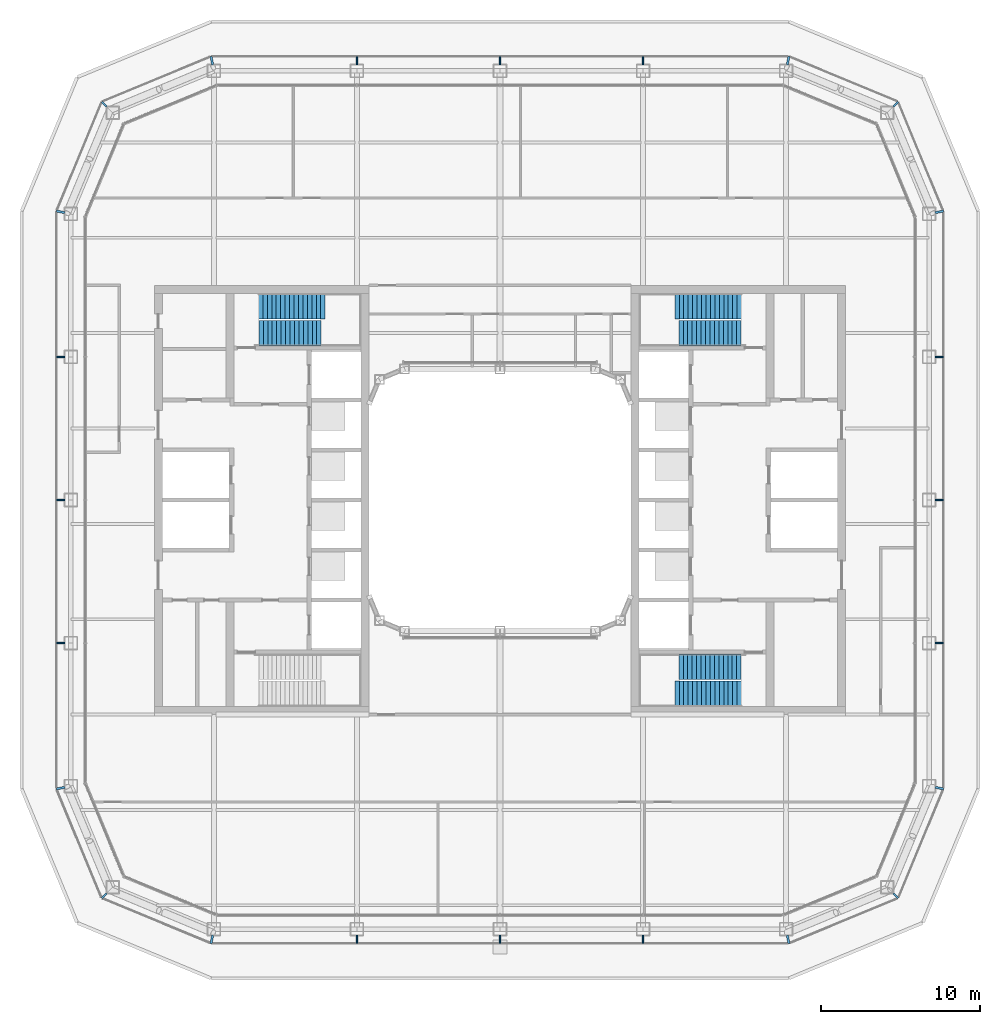
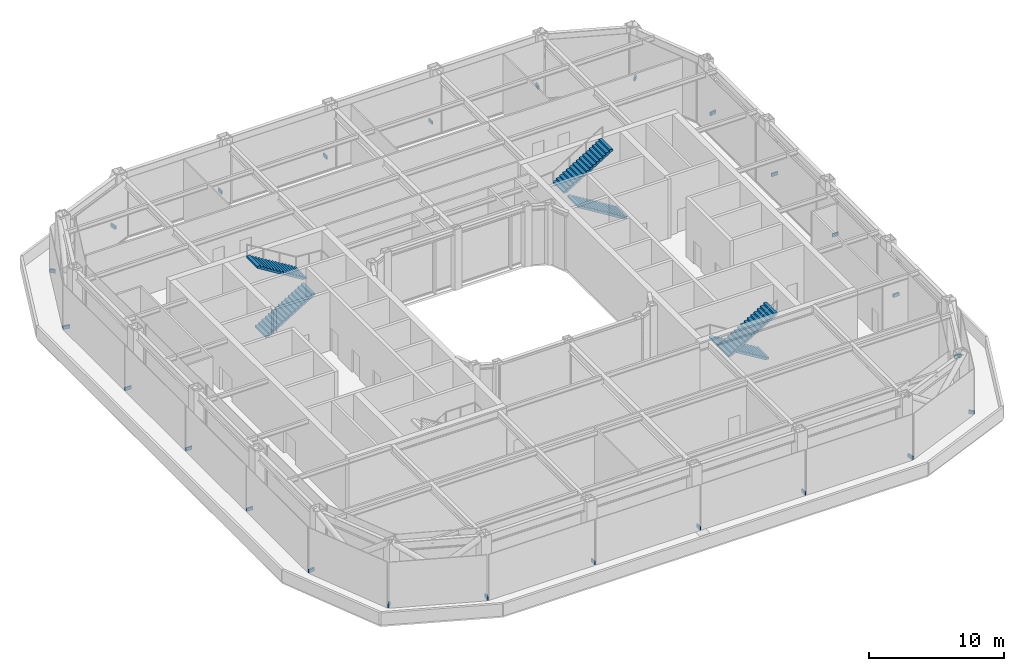
# One storey, part 14 of 19: 24 discrete accessories, 6 stair flights, 3 elements without a shape of their own.
"""IFC4 building model written with IfcOpenShell, lengths in metres."""

from ifc_helpers import new_model, si_unit, direction, frame, origin, origin_2d, place, context, subcontext, project, spatial, polyline, rectangle, outline, extrude, material, type_object, element, aggregate, save


model = new_model("IFC4")

# Units and contexts
model_context = context("Model", 3, precision=1e-05, world=origin(), true_north=direction((0.0, 1.0)))
body_context = subcontext(model_context, "Body", "Model", "MODEL_VIEW")
ifc_project = project(units=[si_unit("LENGTHUNIT", "METRE"), si_unit("AREAUNIT", "SQUARE_METRE"), si_unit("VOLUMEUNIT", "CUBIC_METRE"), si_unit("PLANEANGLEUNIT", "RADIAN"), si_unit("MASSUNIT", "GRAM", prefix="KILO")], contexts=[model_context])

# Site, building, storey
site_placement = place(None, origin())
site = spatial("IfcSite", under=ifc_project, at=site_placement, CompositionType="ELEMENT")
building_placement = place(site_placement, origin())
building = spatial("IfcBuilding", under=site, at=building_placement, Name="Siwar Civic Tower", CompositionType="ELEMENT")
storey_placement = place(building_placement, frame((0.0, 0.0, 187.199951171875)))
storey = spatial("IfcBuildingStorey", under=building, at=storey_placement, Name="L40", CompositionType="ELEMENT", Elevation=187.199951171875)

# Stair, stair flights
ifc_material_1 = material(Name="Concrete C40/50", Category="concrete")
stair_type = type_object("IfcStairType", Name="CORE-STAIR", PredefinedType="TWO_STRAIGHT_RUN_STAIR", material=ifc_material_1)
stair_1_placement = place(storey_placement, origin())
stair_1 = element("IfcStair", 1, at=stair_1_placement, inside=storey, type_object=stair_type, Name="Exit stair ST1", PredefinedType="TWO_STRAIGHT_RUN_STAIR")
ifc_material_2 = material(Name="Concrete C40/50", Category="concrete")
stair_flight_type = type_object("IfcStairFlightType", Name="CORE-STAIR-FLIGHT", PredefinedType="STRAIGHT", material=ifc_material_2)
stair_flight_1_placement = place(storey_placement, frame((-15.449951171875, 10.5, 0.0), z_axis=(0.0, 0.0, 1.0), x_axis=(1.0, 0.0, 0.0)))
stair_flight_1 = element("IfcStairFlight", 2, at=stair_flight_1_placement, type_object=stair_flight_type, Name="ST1 flight 1", NumberOfRisers=16, NumberOfTreads=15, PredefinedType="STRAIGHT", RiserHeight=0.171875, TreadLength=0.28, context=body_context, shape_type="SweptSolid", body=[
    extrude(outline(polyline([(0.0, 0.0), (0.0, 0.171875), (0.280029296875, 0.171875), (0.280029296875, 0.34375), (0.56005859375, 0.34375), (0.56005859375, 0.515625), (0.840087890625, 0.515625), (0.840087890625, 0.6875), (1.1201171875, 0.6875), (1.1201171875, 0.859375), (1.39990234375, 0.859375), (1.39990234375, 1.03125), (1.679931640625, 1.03125), (1.679931640625, 1.203125), (1.9599609375, 1.203125), (1.9599609375, 1.375), (2.239990234375, 1.375), (2.239990234375, 1.546875), (2.52001953125, 1.546875), (2.52001953125, 1.71875), (2.800048828125, 1.71875), (2.800048828125, 1.890625), (3.080078125, 1.890625), (3.080078125, 2.0625), (3.360107421875, 2.0625), (3.360107421875, 2.234375), (3.639892578125, 2.234375), (3.639892578125, 2.40625), (3.919921875, 2.40625), (3.919921875, 2.578125), (4.199951171875, 2.578125), (4.199951171875, 2.75), (4.199951171875, 2.40234375), (0.28662109375, 0.0), (0.0, 0.0)])), frame((0.0, 0.800048828125, 0.0), z_axis=(0.0, -1.0, 0.0), x_axis=(1.0, 0.0, 0.0)), (0.0, 0.0, 1.0), 1.60009765625),
])
stair_flight_2_placement = place(storey_placement, frame((-11.0, 12.199951171875, 2.75), z_axis=(0.0, 0.0, 1.0), x_axis=(-1.0, 0.0, 0.0)))
stair_flight_2 = element("IfcStairFlight", 3, at=stair_flight_2_placement, type_object=stair_flight_type, Name="ST1 flight 2", NumberOfRisers=16, NumberOfTreads=15, PredefinedType="STRAIGHT", RiserHeight=0.171875, TreadLength=0.28, context=body_context, shape_type="SweptSolid", body=[
    extrude(outline(polyline([(0.0, 0.0), (0.0, 0.171875), (0.280029296875, 0.171875), (0.280029296875, 0.34375), (0.56005859375, 0.34375), (0.56005859375, 0.515625), (0.840087890625, 0.515625), (0.840087890625, 0.6875), (1.1201171875, 0.6875), (1.1201171875, 0.859375), (1.39990234375, 0.859375), (1.39990234375, 1.03125), (1.679931640625, 1.03125), (1.679931640625, 1.203125), (1.9599609375, 1.203125), (1.9599609375, 1.375), (2.239990234375, 1.375), (2.239990234375, 1.546875), (2.52001953125, 1.546875), (2.52001953125, 1.71875), (2.800048828125, 1.71875), (2.800048828125, 1.890625), (3.080078125, 1.890625), (3.080078125, 2.0625), (3.360107421875, 2.0625), (3.360107421875, 2.234375), (3.639892578125, 2.234375), (3.639892578125, 2.40625), (3.919921875, 2.40625), (3.919921875, 2.578125), (4.199951171875, 2.578125), (4.199951171875, 2.75), (4.199951171875, 2.40234375), (0.28662109375, 0.0), (0.0, 0.0)])), frame((0.0, 0.800048828125, 0.0), z_axis=(0.0, -1.0, 0.0), x_axis=(1.0, 0.0, 0.0)), (0.0, 0.0, 1.0), 1.60009765625),
])
aggregate(stair_1, [stair_flight_1, stair_flight_2])

stair_2_placement = place(storey_placement, origin())
stair_2 = element("IfcStair", 4, at=stair_2_placement, inside=storey, type_object=stair_type, Name="Exit stair ST3", PredefinedType="TWO_STRAIGHT_RUN_STAIR")
stair_flight_3_placement = place(storey_placement, frame((15.449951171875, 10.5, 0.0), z_axis=(0.0, 0.0, 1.0), x_axis=(-1.0, 0.0, 0.0)))
stair_flight_3 = element("IfcStairFlight", 5, at=stair_flight_3_placement, type_object=stair_flight_type, Name="ST3 flight 1", NumberOfRisers=16, NumberOfTreads=15, PredefinedType="STRAIGHT", RiserHeight=0.171875, TreadLength=0.28, context=body_context, shape_type="SweptSolid", body=[
    extrude(outline(polyline([(0.0, 0.0), (0.0, 0.171875), (0.280029296875, 0.171875), (0.280029296875, 0.34375), (0.56005859375, 0.34375), (0.56005859375, 0.515625), (0.840087890625, 0.515625), (0.840087890625, 0.6875), (1.1201171875, 0.6875), (1.1201171875, 0.859375), (1.39990234375, 0.859375), (1.39990234375, 1.03125), (1.679931640625, 1.03125), (1.679931640625, 1.203125), (1.9599609375, 1.203125), (1.9599609375, 1.375), (2.239990234375, 1.375), (2.239990234375, 1.546875), (2.52001953125, 1.546875), (2.52001953125, 1.71875), (2.800048828125, 1.71875), (2.800048828125, 1.890625), (3.080078125, 1.890625), (3.080078125, 2.0625), (3.360107421875, 2.0625), (3.360107421875, 2.234375), (3.639892578125, 2.234375), (3.639892578125, 2.40625), (3.919921875, 2.40625), (3.919921875, 2.578125), (4.199951171875, 2.578125), (4.199951171875, 2.75), (4.199951171875, 2.40234375), (0.28662109375, 0.0), (0.0, 0.0)])), frame((0.0, 0.800048828125, 0.0), z_axis=(0.0, -1.0, 0.0), x_axis=(1.0, 0.0, 0.0)), (0.0, 0.0, 1.0), 1.60009765625),
])
stair_flight_4_placement = place(storey_placement, frame((11.0, 12.199951171875, 2.75), z_axis=(0.0, 0.0, 1.0), x_axis=(1.0, 0.0, 0.0)))
stair_flight_4 = element("IfcStairFlight", 6, at=stair_flight_4_placement, type_object=stair_flight_type, Name="ST3 flight 2", NumberOfRisers=16, NumberOfTreads=15, PredefinedType="STRAIGHT", RiserHeight=0.171875, TreadLength=0.28, context=body_context, shape_type="SweptSolid", body=[
    extrude(outline(polyline([(0.0, 0.0), (0.0, 0.171875), (0.280029296875, 0.171875), (0.280029296875, 0.34375), (0.56005859375, 0.34375), (0.56005859375, 0.515625), (0.840087890625, 0.515625), (0.840087890625, 0.6875), (1.1201171875, 0.6875), (1.1201171875, 0.859375), (1.39990234375, 0.859375), (1.39990234375, 1.03125), (1.679931640625, 1.03125), (1.679931640625, 1.203125), (1.9599609375, 1.203125), (1.9599609375, 1.375), (2.239990234375, 1.375), (2.239990234375, 1.546875), (2.52001953125, 1.546875), (2.52001953125, 1.71875), (2.800048828125, 1.71875), (2.800048828125, 1.890625), (3.080078125, 1.890625), (3.080078125, 2.0625), (3.360107421875, 2.0625), (3.360107421875, 2.234375), (3.639892578125, 2.234375), (3.639892578125, 2.40625), (3.919921875, 2.40625), (3.919921875, 2.578125), (4.199951171875, 2.578125), (4.199951171875, 2.75), (4.199951171875, 2.40234375), (0.28662109375, 0.0), (0.0, 0.0)])), frame((0.0, 0.800048828125, 0.0), z_axis=(0.0, -1.0, 0.0), x_axis=(1.0, 0.0, 0.0)), (0.0, 0.0, 1.0), 1.60009765625),
])
aggregate(stair_2, [stair_flight_3, stair_flight_4])

stair_3_placement = place(storey_placement, origin())
stair_3 = element("IfcStair", 7, at=stair_3_placement, inside=storey, type_object=stair_type, Name="Exit stair ST4", PredefinedType="TWO_STRAIGHT_RUN_STAIR")
stair_flight_5_placement = place(storey_placement, frame((15.449951171875, -10.5, 0.0), z_axis=(0.0, 0.0, 1.0), x_axis=(-1.0, 0.0, 0.0)))
stair_flight_5 = element("IfcStairFlight", 8, at=stair_flight_5_placement, type_object=stair_flight_type, Name="ST4 flight 1", NumberOfRisers=16, NumberOfTreads=15, PredefinedType="STRAIGHT", RiserHeight=0.171875, TreadLength=0.28, context=body_context, shape_type="SweptSolid", body=[
    extrude(outline(polyline([(0.0, 0.0), (0.0, 0.171875), (0.280029296875, 0.171875), (0.280029296875, 0.34375), (0.56005859375, 0.34375), (0.56005859375, 0.515625), (0.840087890625, 0.515625), (0.840087890625, 0.6875), (1.1201171875, 0.6875), (1.1201171875, 0.859375), (1.39990234375, 0.859375), (1.39990234375, 1.03125), (1.679931640625, 1.03125), (1.679931640625, 1.203125), (1.9599609375, 1.203125), (1.9599609375, 1.375), (2.239990234375, 1.375), (2.239990234375, 1.546875), (2.52001953125, 1.546875), (2.52001953125, 1.71875), (2.800048828125, 1.71875), (2.800048828125, 1.890625), (3.080078125, 1.890625), (3.080078125, 2.0625), (3.360107421875, 2.0625), (3.360107421875, 2.234375), (3.639892578125, 2.234375), (3.639892578125, 2.40625), (3.919921875, 2.40625), (3.919921875, 2.578125), (4.199951171875, 2.578125), (4.199951171875, 2.75), (4.199951171875, 2.40234375), (0.28662109375, 0.0), (0.0, 0.0)])), frame((0.0, 0.800048828125, 0.0), z_axis=(0.0, -1.0, 0.0), x_axis=(1.0, 0.0, 0.0)), (0.0, 0.0, 1.0), 1.60009765625),
])
stair_flight_6_placement = place(storey_placement, frame((11.0, -12.199951171875, 2.75), z_axis=(0.0, 0.0, 1.0), x_axis=(1.0, 0.0, 0.0)))
stair_flight_6 = element("IfcStairFlight", 9, at=stair_flight_6_placement, type_object=stair_flight_type, Name="ST4 flight 2", NumberOfRisers=16, NumberOfTreads=15, PredefinedType="STRAIGHT", RiserHeight=0.171875, TreadLength=0.28, context=body_context, shape_type="SweptSolid", body=[
    extrude(outline(polyline([(0.0, 0.0), (0.0, 0.171875), (0.280029296875, 0.171875), (0.280029296875, 0.34375), (0.56005859375, 0.34375), (0.56005859375, 0.515625), (0.840087890625, 0.515625), (0.840087890625, 0.6875), (1.1201171875, 0.6875), (1.1201171875, 0.859375), (1.39990234375, 0.859375), (1.39990234375, 1.03125), (1.679931640625, 1.03125), (1.679931640625, 1.203125), (1.9599609375, 1.203125), (1.9599609375, 1.375), (2.239990234375, 1.375), (2.239990234375, 1.546875), (2.52001953125, 1.546875), (2.52001953125, 1.71875), (2.800048828125, 1.71875), (2.800048828125, 1.890625), (3.080078125, 1.890625), (3.080078125, 2.0625), (3.360107421875, 2.0625), (3.360107421875, 2.234375), (3.639892578125, 2.234375), (3.639892578125, 2.40625), (3.919921875, 2.40625), (3.919921875, 2.578125), (4.199951171875, 2.578125), (4.199951171875, 2.75), (4.199951171875, 2.40234375), (0.28662109375, 0.0), (0.0, 0.0)])), frame((0.0, 0.800048828125, 0.0), z_axis=(0.0, -1.0, 0.0), x_axis=(1.0, 0.0, 0.0)), (0.0, 0.0, 1.0), 1.60009765625),
])
aggregate(stair_3, [stair_flight_5, stair_flight_6])

# Discrete accessories
ifc_material_3 = material(Name="Stainless steel 316", Category="steel")
discrete_accessory_type = type_object("IfcDiscreteAccessoryType", Name="ENV-BRACKET", PredefinedType="BRACKET", material=ifc_material_3)
for number, where, z_axis, x_axis, name in (
    (10, (27.639892578125, -9.0, 0.0), (0.0, 0.0, 1.0), (1.0, 0.0, 0.0), "Bracket outer skin joint E-01"),
    (11, (27.639892578125, 0.0, 0.0), (0.0, 0.0, 1.0), (1.0, 0.0, 0.0), "Bracket outer skin joint E-02"),
    (12, (27.639892578125, 9.0, 0.0), (0.0, 0.0, 1.0), (1.0, 0.0, 0.0), "Bracket outer skin joint E-03"),
    (13, (9.0, 27.639892578125, 0.0), (0.0, 0.0, 1.0), (0.0, 1.0, 0.0), "Bracket outer skin joint N-01"),
    (14, (0.0, 27.639892578125, 0.0), (0.0, 0.0, 1.0), (0.0, 1.0, 0.0), "Bracket outer skin joint N-02"),
    (15, (-9.0, 27.639892578125, 0.0), (0.0, 0.0, 1.0), (0.0, 1.0, 0.0), "Bracket outer skin joint N-03"),
    (16, (-9.0, -27.639892578125, 0.0), (0.0, 0.0, 1.0), (0.0, -1.0, 0.0), "Bracket outer skin joint S-01"),
    (17, (0.0, -27.639892578125, 0.0), (0.0, 0.0, 1.0), (0.0, -1.0, 0.0), "Bracket outer skin joint S-02"),
    (18, (9.0, -27.639892578125, 0.0), (0.0, 0.0, 1.0), (0.0, -1.0, 0.0), "Bracket outer skin joint S-03"),
):
    element("IfcDiscreteAccessory", number, at=place(storey_placement, frame(where, z_axis=z_axis, x_axis=x_axis)), inside=storey, type_object=discrete_accessory_type, Name=name, PredefinedType="BRACKET", context=body_context, shape_type="SweptSolid", body=[
        extrude(rectangle(XDim=0.52001953125, YDim=0.10009765625, at=origin_2d()), origin(), (0.0, 0.0, 1.0), 0.300048828125),
    ])
for number, where, z_axis, x_axis, name in (
    (19, (-18.12744140625, -27.64013671875, 0.0), (0.0, 0.0, 1.0), (-0.195090322016, -0.980785280403, 0.0), "Bracket outer skin joint V00"),
    (20, (18.12744140625, -27.64013671875, 0.0), (0.0, 0.0, 1.0), (0.195090322016, -0.980785280403, 0.0), "Bracket outer skin joint V01"),
):
    element("IfcDiscreteAccessory", number, at=place(storey_placement, frame(where, z_axis=z_axis, x_axis=x_axis)), inside=storey, type_object=discrete_accessory_type, Name=name, PredefinedType="BRACKET", context=body_context, shape_type="SweptSolid", body=[
        extrude(rectangle(XDim=0.52978515625, YDim=0.13720703125, at=origin_2d()), origin(), (0.0, 0.0, 1.0), 0.300048828125),
    ])
discrete_accessory_1_placement = place(storey_placement, frame((24.9013671875, -24.9013671875, 0.0), z_axis=(0.0, 0.0, 1.0), x_axis=(0.707106781187, -0.707106781187, 0.0)))
element("IfcDiscreteAccessory", 21, at=discrete_accessory_1_placement, inside=storey, type_object=discrete_accessory_type, Name="Bracket outer skin joint V02", PredefinedType="BRACKET", context=body_context, shape_type="SweptSolid", body=[
    extrude(rectangle(XDim=0.428466796875, YDim=0.12939453125, at=origin_2d()), origin(), (0.0, 0.0, 1.0), 0.300048828125),
])
for number, where, z_axis, x_axis, name in (
    (22, (27.64013671875, -18.12744140625, 0.0), (0.0, 0.0, 1.0), (0.980785280403, -0.195090322016, 0.0), "Bracket outer skin joint V03"),
    (23, (27.64013671875, 18.12744140625, 0.0), (0.0, 0.0, 1.0), (0.980785280403, 0.195090322016, 0.0), "Bracket outer skin joint V04"),
):
    element("IfcDiscreteAccessory", number, at=place(storey_placement, frame(where, z_axis=z_axis, x_axis=x_axis)), inside=storey, type_object=discrete_accessory_type, Name=name, PredefinedType="BRACKET", context=body_context, shape_type="SweptSolid", body=[
        extrude(rectangle(XDim=0.52978515625, YDim=0.13720703125, at=origin_2d()), origin(), (0.0, 0.0, 1.0), 0.300048828125),
    ])
discrete_accessory_2_placement = place(storey_placement, frame((24.9013671875, 24.9013671875, 0.0), z_axis=(0.0, 0.0, 1.0), x_axis=(0.707106781187, 0.707106781187, 0.0)))
element("IfcDiscreteAccessory", 24, at=discrete_accessory_2_placement, inside=storey, type_object=discrete_accessory_type, Name="Bracket outer skin joint V05", PredefinedType="BRACKET", context=body_context, shape_type="SweptSolid", body=[
    extrude(rectangle(XDim=0.428466796875, YDim=0.12939453125, at=origin_2d()), origin(), (0.0, 0.0, 1.0), 0.300048828125),
])
for number, where, z_axis, x_axis, name in (
    (25, (18.12744140625, 27.64013671875, 0.0), (0.0, 0.0, 1.0), (0.195090322016, 0.980785280403, 0.0), "Bracket outer skin joint V06"),
    (26, (-18.12744140625, 27.64013671875, 0.0), (0.0, 0.0, 1.0), (-0.195090322016, 0.980785280403, 0.0), "Bracket outer skin joint V07"),
):
    element("IfcDiscreteAccessory", number, at=place(storey_placement, frame(where, z_axis=z_axis, x_axis=x_axis)), inside=storey, type_object=discrete_accessory_type, Name=name, PredefinedType="BRACKET", context=body_context, shape_type="SweptSolid", body=[
        extrude(rectangle(XDim=0.52978515625, YDim=0.13720703125, at=origin_2d()), origin(), (0.0, 0.0, 1.0), 0.300048828125),
    ])
discrete_accessory_3_placement = place(storey_placement, frame((-24.9013671875, 24.9013671875, 0.0), z_axis=(0.0, 0.0, 1.0), x_axis=(-0.707106781187, 0.707106781187, 0.0)))
element("IfcDiscreteAccessory", 27, at=discrete_accessory_3_placement, inside=storey, type_object=discrete_accessory_type, Name="Bracket outer skin joint V08", PredefinedType="BRACKET", context=body_context, shape_type="SweptSolid", body=[
    extrude(rectangle(XDim=0.428466796875, YDim=0.12939453125, at=origin_2d()), origin(), (0.0, 0.0, 1.0), 0.300048828125),
])
for number, where, z_axis, x_axis, name in (
    (28, (-27.64013671875, 18.12744140625, 0.0), (0.0, 0.0, 1.0), (-0.980785280403, 0.195090322016, 0.0), "Bracket outer skin joint V09"),
    (29, (-27.64013671875, -18.12744140625, 0.0), (0.0, 0.0, 1.0), (-0.980785280403, -0.195090322016, 0.0), "Bracket outer skin joint V10"),
):
    element("IfcDiscreteAccessory", number, at=place(storey_placement, frame(where, z_axis=z_axis, x_axis=x_axis)), inside=storey, type_object=discrete_accessory_type, Name=name, PredefinedType="BRACKET", context=body_context, shape_type="SweptSolid", body=[
        extrude(rectangle(XDim=0.52978515625, YDim=0.13720703125, at=origin_2d()), origin(), (0.0, 0.0, 1.0), 0.300048828125),
    ])
discrete_accessory_4_placement = place(storey_placement, frame((-24.9013671875, -24.9013671875, 0.0), z_axis=(0.0, 0.0, 1.0), x_axis=(-0.707106781187, -0.707106781187, 0.0)))
element("IfcDiscreteAccessory", 30, at=discrete_accessory_4_placement, inside=storey, type_object=discrete_accessory_type, Name="Bracket outer skin joint V11", PredefinedType="BRACKET", context=body_context, shape_type="SweptSolid", body=[
    extrude(rectangle(XDim=0.428466796875, YDim=0.12939453125, at=origin_2d()), origin(), (0.0, 0.0, 1.0), 0.300048828125),
])
for number, where, z_axis, x_axis, name in (
    (31, (-27.639892578125, 9.0, 0.0), (0.0, 0.0, 1.0), (-1.0, 0.0, 0.0), "Bracket outer skin joint W-01"),
    (32, (-27.639892578125, 0.0, 0.0), (0.0, 0.0, 1.0), (-1.0, 0.0, 0.0), "Bracket outer skin joint W-02"),
    (33, (-27.639892578125, -9.0, 0.0), (0.0, 0.0, 1.0), (-1.0, 0.0, 0.0), "Bracket outer skin joint W-03"),
):
    element("IfcDiscreteAccessory", number, at=place(storey_placement, frame(where, z_axis=z_axis, x_axis=x_axis)), inside=storey, type_object=discrete_accessory_type, Name=name, PredefinedType="BRACKET", context=body_context, shape_type="SweptSolid", body=[
        extrude(rectangle(XDim=0.52001953125, YDim=0.10009765625, at=origin_2d()), origin(), (0.0, 0.0, 1.0), 0.300048828125),
    ])

save(model, "model.ifc")
